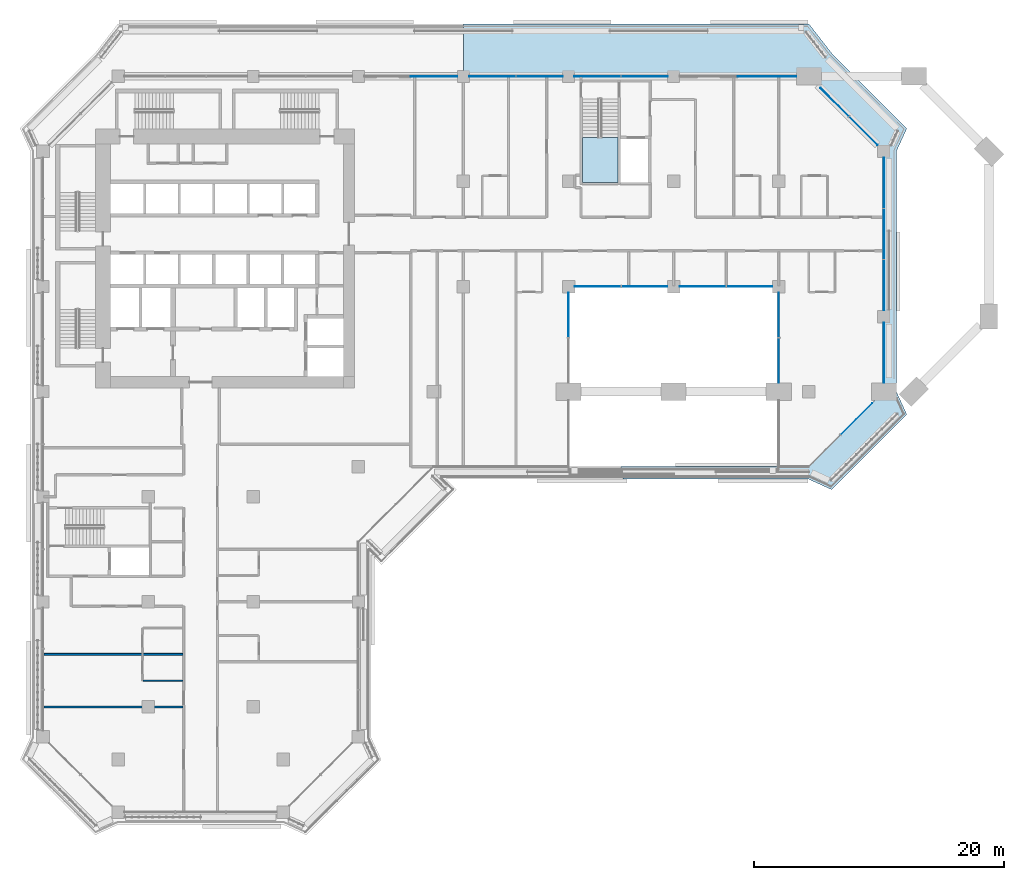
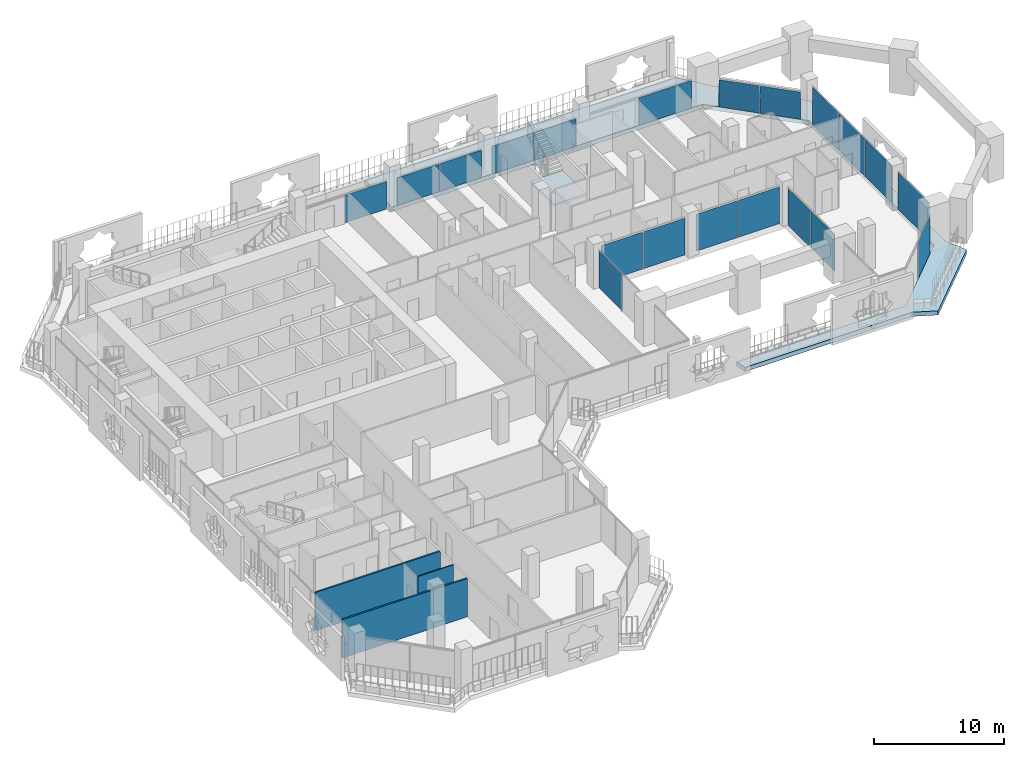
# One storey, part 10 of 24: 20 plates, 3 walls, 2 slabs, 8 elements without a shape of their own.
"""IFC4 building model written with IfcOpenShell, lengths in metres."""

from ifc_helpers import new_model, si_unit, direction, frame, frame_2d, origin, origin_2d, place, context, subcontext, project, spatial, polyline, rectangle, outline, extrude, material, layer, layer_set, type_object, element, aggregate, save


model = new_model("IFC4")

# Units and contexts
model_context = context("Model", 3, precision=1e-05, world=origin(), true_north=direction((0.0, 1.0)))
body_context = subcontext(model_context, "Body", "Model", "MODEL_VIEW")
ifc_project = project(units=[si_unit("LENGTHUNIT", "METRE"), si_unit("AREAUNIT", "SQUARE_METRE"), si_unit("VOLUMEUNIT", "CUBIC_METRE"), si_unit("PLANEANGLEUNIT", "RADIAN"), si_unit("MASSUNIT", "GRAM", prefix="KILO")], contexts=[model_context])

# Site, building, storey
site_placement = place(None, origin())
site = spatial("IfcSite", under=ifc_project, at=site_placement, CompositionType="ELEMENT")
building_placement = place(site_placement, origin())
building = spatial("IfcBuilding", under=site, at=building_placement, Name="Kawkab Arch Medical Tower", CompositionType="ELEMENT")
storey_placement = place(building_placement, frame((0.0, 0.0, 162.60009765625)))
storey = spatial("IfcBuildingStorey", under=building, at=storey_placement, Name="L37", CompositionType="ELEMENT", Elevation=162.60009765625)

# Curtain wall, plates
ifc_material_1 = material(Name="Bronze anodised aluminium curtain wall frame", Category="aluminium")
ifc_layer_1 = layer(ifc_material_1, 0.159912109375)
ifc_layer_set_1 = layer_set([ifc_layer_1], Name="Bronze anodised aluminium curtain wall frame")
curtain_wall_type_1 = type_object("IfcCurtainWallType", Name="CW1 ward curtain wall", PredefinedType="NOTDEFINED", material=ifc_layer_set_1)
placement = place(storey_placement, origin())
curtain_wall_1 = element("IfcCurtainWall", 1, at=placement, inside=storey, type_object=curtain_wall_type_1, Name="CW1 Ward curtain wall R07", PredefinedType="NOTDEFINED")
ifc_material_2 = material(Name="Tinted insulating glass, bronze low-e coating", Category="glass")
ifc_layer_2 = layer(ifc_material_2, 0.031982421875)
ifc_layer_set_2 = layer_set([ifc_layer_2], Name="Tinted insulating glass, bronze low-e coating")
plate_type_1 = type_object("IfcPlateType", Name="CW1 glazing unit 32", PredefinedType="CURTAIN_PANEL", material=ifc_layer_set_2)
plate_1_placement = place(storey_placement, frame((67.199951171875, -22.10009765625, 0.0), z_axis=(0.0, 0.0, 1.0), x_axis=(0.0, 1.0, 0.0)))
plate_1 = element("IfcPlate", 2, at=plate_1_placement, type_object=plate_type_1, Name="CW1 glazing unit 1.1", PredefinedType="CURTAIN_PANEL", context=body_context, shape_type="SweptSolid", body=[
    extrude(rectangle(XDim=4.800048828125, YDim=0.031982421875, at=origin_2d()), origin(), (0.0, 0.0, 1.0), 3.47998046875),
])
plate_2_placement = place(storey_placement, frame((67.199951171875, -16.681640625, 0.0), z_axis=(0.0, 0.0, 1.0), x_axis=(0.0, 1.0, 0.0)))
plate_2 = element("IfcPlate", 3, at=plate_2_placement, type_object=plate_type_1, Name="CW1 glazing unit 2.1", PredefinedType="CURTAIN_PANEL", context=body_context, shape_type="SweptSolid", body=[
    extrude(rectangle(XDim=4.03662109375, YDim=0.031982421875, at=origin_2d()), origin(), (0.0, 0.0, 1.0), 3.47998046875),
])
plate_3_placement = place(storey_placement, frame((67.199951171875, -12.60009765625, 0.0), z_axis=(0.0, 0.0, 1.0), x_axis=(0.0, 1.0, 0.0)))
plate_3 = element("IfcPlate", 4, at=plate_3_placement, type_object=plate_type_1, Name="CW1 glazing unit 2.2", PredefinedType="CURTAIN_PANEL", context=body_context, shape_type="SweptSolid", body=[
    extrude(rectangle(XDim=4.006591796875, YDim=0.031982421875, at=origin_2d()), origin(), (0.0, 0.0, 1.0), 3.47998046875),
])
plate_4_placement = place(storey_placement, frame((67.199951171875, -8.518310546875, 0.0), z_axis=(0.0, 0.0, 1.0), x_axis=(0.0, 1.0, 0.0)))
plate_4 = element("IfcPlate", 5, at=plate_4_placement, type_object=plate_type_1, Name="CW1 glazing unit 2.3", PredefinedType="CURTAIN_PANEL", context=body_context, shape_type="SweptSolid", body=[
    extrude(rectangle(XDim=4.03662109375, YDim=0.031982421875, at=origin_2d()), origin(), (0.0, 0.0, 1.0), 3.47998046875),
])
aggregate(curtain_wall_1, [plate_1, plate_2, plate_3, plate_4])

curtain_wall_2 = element("IfcCurtainWall", 6, at=placement, inside=storey, type_object=curtain_wall_type_1, Name="CW1 Ward curtain wall R09", PredefinedType="NOTDEFINED")
plate_5_placement = place(storey_placement, frame((57.86865234375, 0.0, -0.000244140625), z_axis=(0.0, 0.0, 1.0), x_axis=(-1.0, 0.0, 0.0)))
plate_5 = element("IfcPlate", 7, at=plate_5_placement, type_object=plate_type_1, Name="CW1 glazing unit 1.1", PredefinedType="CURTAIN_PANEL", context=body_context, shape_type="SweptSolid", body=[
    extrude(rectangle(XDim=4.66259765625, YDim=0.031982421875, at=origin_2d()), origin(), (0.0, 0.0, 1.0), 2.580078125),
])
plate_6_placement = place(storey_placement, frame((48.077392578125, 0.0, -0.000244140625), z_axis=(0.0, 0.0, 1.0), x_axis=(-1.0, 0.0, 0.0)))
plate_6 = element("IfcPlate", 8, at=plate_6_placement, type_object=plate_type_1, Name="CW1 glazing unit 2.1", PredefinedType="CURTAIN_PANEL", context=body_context, shape_type="SweptSolid", body=[
    extrude(rectangle(XDim=3.695068359375, YDim=0.031982421875, at=origin_2d()), origin(), (0.0, 0.0, 1.0), 2.580078125),
])
plate_7_placement = place(storey_placement, frame((44.322509765625, 0.0, -0.000244140625), z_axis=(0.0, 0.0, 1.0), x_axis=(-1.0, 0.0, 0.0)))
plate_7 = element("IfcPlate", 9, at=plate_7_placement, type_object=plate_type_1, Name="CW1 glazing unit 2.2", PredefinedType="CURTAIN_PANEL", context=body_context, shape_type="SweptSolid", body=[
    extrude(rectangle(XDim=3.695068359375, YDim=0.031982421875, at=origin_2d()), origin(), (0.0, 0.0, 1.0), 2.580078125),
])
plate_8_placement = place(storey_placement, frame((39.677490234375, 0.0, -0.000244140625), z_axis=(0.0, 0.0, 1.0), x_axis=(-1.0, 0.0, 0.0)))
plate_8 = element("IfcPlate", 10, at=plate_8_placement, type_object=plate_type_1, Name="CW1 glazing unit 3.1", PredefinedType="CURTAIN_PANEL", context=body_context, shape_type="SweptSolid", body=[
    extrude(rectangle(XDim=3.695068359375, YDim=0.031982421875, at=origin_2d()), origin(), (0.0, 0.0, 1.0), 2.580078125),
])
plate_9_placement = place(storey_placement, frame((35.922607421875, 0.0, -0.000244140625), z_axis=(0.0, 0.0, 1.0), x_axis=(-1.0, 0.0, 0.0)))
plate_9 = element("IfcPlate", 11, at=plate_9_placement, type_object=plate_type_1, Name="CW1 glazing unit 3.2", PredefinedType="CURTAIN_PANEL", context=body_context, shape_type="SweptSolid", body=[
    extrude(rectangle(XDim=3.695068359375, YDim=0.031982421875, at=origin_2d()), origin(), (0.0, 0.0, 1.0), 2.580078125),
])
plate_10_placement = place(storey_placement, frame((31.262451171875, 0.0, -0.000244140625), z_axis=(0.0, 0.0, 1.0), x_axis=(-1.0, 0.0, 0.0)))
plate_10 = element("IfcPlate", 12, at=plate_10_placement, type_object=plate_type_1, Name="CW1 glazing unit 4.1", PredefinedType="CURTAIN_PANEL", context=body_context, shape_type="SweptSolid", body=[
    extrude(rectangle(XDim=3.72509765625, YDim=0.031982421875, at=origin_2d()), origin(), (0.0, 0.0, 1.0), 2.580078125),
])
aggregate(curtain_wall_2, [plate_5, plate_6, plate_7, plate_8, plate_9, plate_10])

# Curtain wall, plate
ifc_material_3 = material(Name="Bronze anodised aluminium curtain wall frame", Category="aluminium")
ifc_layer_3 = layer(ifc_material_3, 0.159912109375)
ifc_layer_set_3 = layer_set([ifc_layer_3], Name="Bronze anodised aluminium curtain wall frame")
curtain_wall_type_2 = type_object("IfcCurtainWallType", Name="CW2 chamfer curtain wall", PredefinedType="NOTDEFINED", material=ifc_layer_set_3)
curtain_wall_3 = element("IfcCurtainWall", 13, at=placement, inside=storey, type_object=curtain_wall_type_2, Name="CW2 Chamfer curtain wall R06", PredefinedType="NOTDEFINED")
ifc_material_4 = material(Name="Tinted insulating glass, bronze low-e coating", Category="glass")
ifc_layer_4 = layer(ifc_material_4, 0.031982421875)
ifc_layer_set_4 = layer_set([ifc_layer_4], Name="Tinted insulating glass, bronze low-e coating")
plate_type_2 = type_object("IfcPlateType", Name="CW2 glazing unit 32", PredefinedType="CURTAIN_PANEL", material=ifc_layer_set_4)
plate_11_placement = place(storey_placement, frame((65.012939453125, -27.38720703125, 0.0), z_axis=(0.0, 0.0, 1.0), x_axis=(0.707106781187, 0.707106781187, 0.0)))
plate_11 = element("IfcPlate", 14, at=plate_11_placement, type_object=plate_type_2, Name="CW2 glazing unit 1.2", PredefinedType="CURTAIN_PANEL", context=body_context, shape_type="SweptSolid", body=[
    extrude(rectangle(XDim=3.5546875, YDim=0.031982421875, at=origin_2d()), origin(), (0.0, 0.0, 1.0), 3.4599609375),
])
aggregate(curtain_wall_3, [plate_11])

# Curtain wall, plates
curtain_wall_4 = element("IfcCurtainWall", 15, at=placement, inside=storey, type_object=curtain_wall_type_2, Name="CW2 Chamfer curtain wall R08", PredefinedType="NOTDEFINED")
plate_12_placement = place(storey_placement, frame((65.568115234375, -4.3681640625, -0.000244140625), z_axis=(0.0, 0.0, 1.0), x_axis=(-0.707106781187, 0.707106781187, 0.0)))
plate_12 = element("IfcPlate", 16, at=plate_12_placement, type_object=plate_type_2, Name="CW2 glazing unit 1.1", PredefinedType="CURTAIN_PANEL", context=body_context, shape_type="SweptSolid", body=[
    extrude(rectangle(XDim=3.201171875, YDim=0.031982421875, at=origin_2d()), origin(), (0.0, 0.0, 1.0), 2.56005859375),
])
plate_13_placement = place(storey_placement, frame((63.26220703125, -2.062255859375, -0.000244140625), z_axis=(0.0, 0.0, 1.0), x_axis=(-0.707106781187, 0.707106781187, 0.0)))
plate_13 = element("IfcPlate", 17, at=plate_13_placement, type_object=plate_type_2, Name="CW2 glazing unit 1.2", PredefinedType="CURTAIN_PANEL", context=body_context, shape_type="SweptSolid", body=[
    extrude(rectangle(XDim=3.201171875, YDim=0.031982421875, at=origin_2d()), origin(), (0.0, 0.0, 1.0), 2.56005859375),
])
aggregate(curtain_wall_4, [plate_12, plate_13])

# Curtain wall, plate
ifc_material_5 = material(Name="Bronze anodised aluminium curtain wall frame", Category="aluminium")
ifc_layer_5 = layer(ifc_material_5, 0.159912109375)
ifc_layer_set_5 = layer_set([ifc_layer_5], Name="Bronze anodised aluminium curtain wall frame")
curtain_wall_type_3 = type_object("IfcCurtainWallType", Name="CW3 sky garden curtain wall", PredefinedType="NOTDEFINED", material=ifc_layer_set_5)
curtain_wall_5 = element("IfcCurtainWall", 18, at=placement, inside=storey, type_object=curtain_wall_type_3, Name="CW3 Sky garden curtain wall R02", PredefinedType="NOTDEFINED")
ifc_material_6 = material(Name="Tinted laminated insulating glass, grey-green", Category="glass")
ifc_layer_6 = layer(ifc_material_6, 0.035888671875)
ifc_layer_set_6 = layer_set([ifc_layer_6], Name="Tinted laminated insulating glass, grey-green")
plate_type_3 = type_object("IfcPlateType", Name="CW3 glazing unit 36", PredefinedType="CURTAIN_PANEL", material=ifc_layer_set_6)
plate_14_placement = place(storey_placement, frame((42.0, -19.08251953125, 0.0), z_axis=(0.0, 0.0, 1.0), x_axis=(0.0, 1.0, 0.0)))
plate_14 = element("IfcPlate", 19, at=plate_14_placement, type_object=plate_type_3, Name="CW3 glazing unit 2.2", PredefinedType="CURTAIN_PANEL", context=body_context, shape_type="SweptSolid", body=[
    extrude(rectangle(XDim=3.56494140625, YDim=0.035888671875, at=origin_2d()), origin(), (0.0, 0.0, 1.0), 3.4599609375),
])
aggregate(curtain_wall_5, [plate_14])

# Curtain wall, plates
curtain_wall_6 = element("IfcCurtainWall", 20, at=placement, inside=storey, type_object=curtain_wall_type_3, Name="CW3 Sky garden curtain wall R03", PredefinedType="NOTDEFINED")
plate_15_placement = place(storey_placement, frame((44.33251953125, -16.800048828125, 0.0), z_axis=(0.0, 0.0, 1.0), x_axis=(1.0, 0.0, 0.0)))
plate_15 = element("IfcPlate", 21, at=plate_15_placement, type_object=plate_type_3, Name="CW3 glazing unit 1.1", PredefinedType="CURTAIN_PANEL", context=body_context, shape_type="SweptSolid", body=[
    extrude(rectangle(XDim=3.6650390625, YDim=0.035888671875, at=origin_2d()), origin(), (0.0, 0.0, 1.0), 3.4599609375),
])
plate_16_placement = place(storey_placement, frame((48.0673828125, -16.800048828125, 0.0), z_axis=(0.0, 0.0, 1.0), x_axis=(1.0, 0.0, 0.0)))
plate_16 = element("IfcPlate", 22, at=plate_16_placement, type_object=plate_type_3, Name="CW3 glazing unit 1.2", PredefinedType="CURTAIN_PANEL", context=body_context, shape_type="SweptSolid", body=[
    extrude(rectangle(XDim=3.6650390625, YDim=0.035888671875, at=origin_2d()), origin(), (0.0, 0.0, 1.0), 3.4599609375),
])
plate_17_placement = place(storey_placement, frame((52.732421875, -16.800048828125, 0.0), z_axis=(0.0, 0.0, 1.0), x_axis=(1.0, 0.0, 0.0)))
plate_17 = element("IfcPlate", 23, at=plate_17_placement, type_object=plate_type_3, Name="CW3 glazing unit 2.1", PredefinedType="CURTAIN_PANEL", context=body_context, shape_type="SweptSolid", body=[
    extrude(rectangle(XDim=3.6650390625, YDim=0.035888671875, at=origin_2d()), origin(), (0.0, 0.0, 1.0), 3.4599609375),
])
plate_18_placement = place(storey_placement, frame((56.467529296875, -16.800048828125, 0.0), z_axis=(0.0, 0.0, 1.0), x_axis=(1.0, 0.0, 0.0)))
plate_18 = element("IfcPlate", 24, at=plate_18_placement, type_object=plate_type_3, Name="CW3 glazing unit 2.2", PredefinedType="CURTAIN_PANEL", context=body_context, shape_type="SweptSolid", body=[
    extrude(rectangle(XDim=3.6650390625, YDim=0.035888671875, at=origin_2d()), origin(), (0.0, 0.0, 1.0), 3.4599609375),
])
aggregate(curtain_wall_6, [plate_15, plate_16, plate_17, plate_18])

curtain_wall_7 = element("IfcCurtainWall", 25, at=placement, inside=storey, type_object=curtain_wall_type_3, Name="CW3 Sky garden curtain wall R04", PredefinedType="NOTDEFINED")
plate_19_placement = place(storey_placement, frame((58.800048828125, -19.08251953125, 0.0), z_axis=(0.0, 0.0, 1.0), x_axis=(0.0, -1.0, 0.0)))
plate_19 = element("IfcPlate", 26, at=plate_19_placement, type_object=plate_type_3, Name="CW3 glazing unit 1.1", PredefinedType="CURTAIN_PANEL", context=body_context, shape_type="SweptSolid", body=[
    extrude(rectangle(XDim=3.56494140625, YDim=0.035888671875, at=origin_2d()), origin(), (0.0, 0.0, 1.0), 3.4599609375),
])
plate_20_placement = place(storey_placement, frame((58.800048828125, -22.717529296875, 0.0), z_axis=(0.0, 0.0, 1.0), x_axis=(0.0, -1.0, 0.0)))
plate_20 = element("IfcPlate", 27, at=plate_20_placement, type_object=plate_type_3, Name="CW3 glazing unit 1.2", PredefinedType="CURTAIN_PANEL", context=body_context, shape_type="SweptSolid", body=[
    extrude(rectangle(XDim=3.56494140625, YDim=0.035888671875, at=origin_2d()), origin(), (0.0, 0.0, 1.0), 3.4599609375),
])
aggregate(curtain_wall_7, [plate_19, plate_20])

# Stair, slab
ifc_material_7 = material(Name="Concrete C40/50", Category="concrete")
stair_type = type_object("IfcStairType", Name="Exit stair 1350", PredefinedType="HALF_TURN_STAIR", material=ifc_material_7)
stair = element("IfcStair", 28, at=placement, inside=storey, type_object=stair_type, Name="L37 Exit stair ST5", PredefinedType="HALF_TURN_STAIR")
ifc_material_8 = material(Name="Concrete C40/50", Category="concrete")
ifc_layer_7 = layer(ifc_material_8, 0.199951171875)
ifc_layer_set_7 = layer_set([ifc_layer_7], Name="Concrete C40/50")
slab_type_1 = type_object("IfcSlabType", Name="Exit stair landing 200", PredefinedType="LANDING", material=ifc_layer_set_7)
slab_1_placement = place(storey_placement, frame((0.0, 0.0, 1.89990234375)))
slab_1 = element("IfcSlab", 29, at=slab_1_placement, type_object=slab_type_1, Name="ST5 landing 1", PredefinedType="LANDING", context=body_context, shape_type="SweptSolid", body=[
    extrude(outline(polyline([(43.10009765625, -4.8798828125), (43.10009765625, -8.5), (45.949951171875, -8.5), (45.949951171875, -4.8798828125), (43.10009765625, -4.8798828125)])), origin(), (0.0, 0.0, 1.0), 0.199951171875),
])
aggregate(stair, [slab_1])

# Slab
ifc_material_9 = material(Name="Concrete C40/50", Category="concrete")
ifc_layer_8 = layer(ifc_material_9, 0.39990234375)
ifc_layer_set_8 = layer_set([ifc_layer_8], Name="Concrete C40/50")
slab_type_2 = type_object("IfcSlabType", Name="Loggia slab 400", PredefinedType="FLOOR", material=ifc_layer_set_8)
slab_2_placement = place(storey_placement, frame((0.0, 0.0, -0.400146484375)))
element("IfcSlab", 30, at=slab_2_placement, inside=storey, type_object=slab_type_2, Name="Loggia slab L37.5", PredefinedType="FLOOR", context=body_context, shape_type="SweptSolid", body=[
    extrude(outline(polyline([(33.60107421875, 0.0009765625), (33.60107421875, 0.001953125), (33.60009765625, 0.001953125), (33.60009765625, 4.198974609375), (33.60107421875, 4.198974609375), (33.60107421875, 4.199951171875), (61.198974609375, 4.199951171875), (61.198974609375, 4.198974609375), (61.200927734375, 4.198974609375), (63.0380859375, 1.837890625), (69.0380859375, -4.1630859375), (68.199951171875, -6.0), (68.199951171875, -25.199951171875), (69.0380859375, -27.037109375), (63.037109375, -33.0380859375), (61.199951171875, -32.199951171875), (46.367919921875, -32.199951171875), (46.367919921875, -32.198974609375), (46.366943359375, -32.198974609375), (46.199951171875, -31.200927734375), (46.200927734375, -31.200927734375), (46.200927734375, -31.199951171875), (61.199951171875, -31.199951171875), (67.200927734375, -25.199951171875), (67.200927734375, -6.0), (61.199951171875, 0.0009765625), (33.60107421875, 0.0009765625)])), origin(), (0.0, 0.0, 1.0), 0.400146484375),
])

# Walls
ifc_material_10 = material(Name="Gypsum board partition on steel studs", Category="steel")
ifc_layer_9 = layer(ifc_material_10, 0.10009765625)
ifc_layer_set_9 = layer_set([ifc_layer_9], Name="Gypsum board partition on steel studs")
wall_type_1 = type_object("IfcWallType", Name="Partition 100", PredefinedType="PARTITIONING", material=ifc_layer_set_9)
wall_placement = place(storey_placement, frame((8.0, -48.300048828125, 0.0), z_axis=(0.0, 0.0, 1.0), x_axis=(1.0, 0.0, 0.0)))
element("IfcWall", 31, at=wall_placement, inside=storey, type_object=wall_type_1, Name="Partition 100 w001", PredefinedType="PARTITIONING", context=body_context, shape_type="SweptSolid", body=[
    extrude(rectangle(XDim=3.175048828125, YDim=0.10009765625, at=frame_2d((1.58740234375, 0.0))), origin(), (0.0, 0.0, 1.0), 3.599853515625),
])
ifc_material_11 = material(Name="Gypsum board partition on steel studs, mineral wool", Category="steel")
ifc_layer_10 = layer(ifc_material_11, 0.14990234375)
ifc_layer_set_10 = layer_set([ifc_layer_10], Name="Gypsum board partition on steel studs, mineral wool")
wall_type_2 = type_object("IfcWallType", Name="Partition 150", PredefinedType="PARTITIONING", material=ifc_layer_set_10)
for number, where, z_axis, x_axis, name in (
    (32, (0.080078125, -50.39990234375, 0.0), (0.0, 0.0, 1.0), (1.0, 0.0, 0.0), "Partition 150 w021"),
    (33, (0.080078125, -46.199951171875, 0.0), (0.0, 0.0, 1.0), (1.0, 0.0, 0.0), "Partition 150 w023"),
):
    element("IfcWall", number, at=place(storey_placement, frame(where, z_axis=z_axis, x_axis=x_axis)), inside=storey, type_object=wall_type_2, Name=name, PredefinedType="PARTITIONING", context=body_context, shape_type="SweptSolid", body=[
        extrude(rectangle(XDim=11.094970703125, YDim=0.14990234375, at=frame_2d((5.54736328125, 0.0))), origin(), (0.0, 0.0, 1.0), 3.599853515625),
    ])

save(model, "model.ifc")
